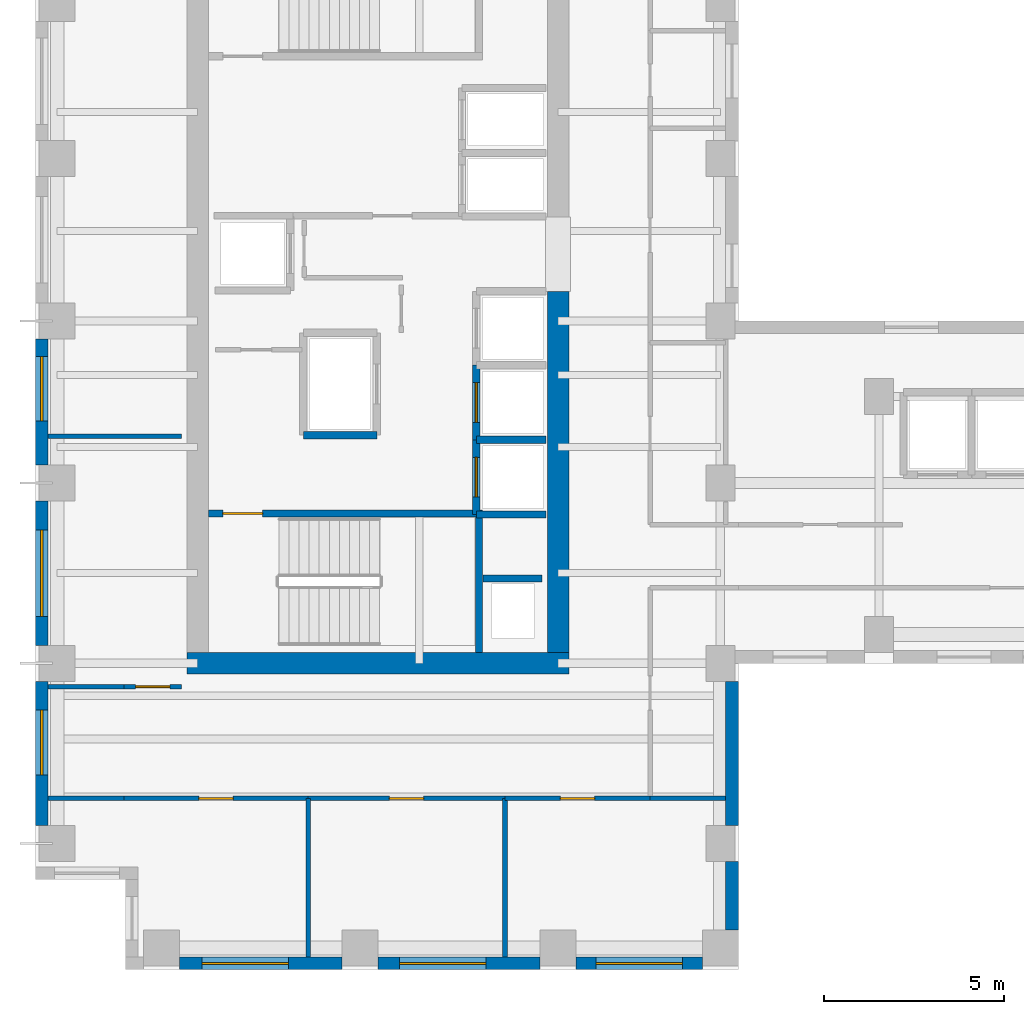
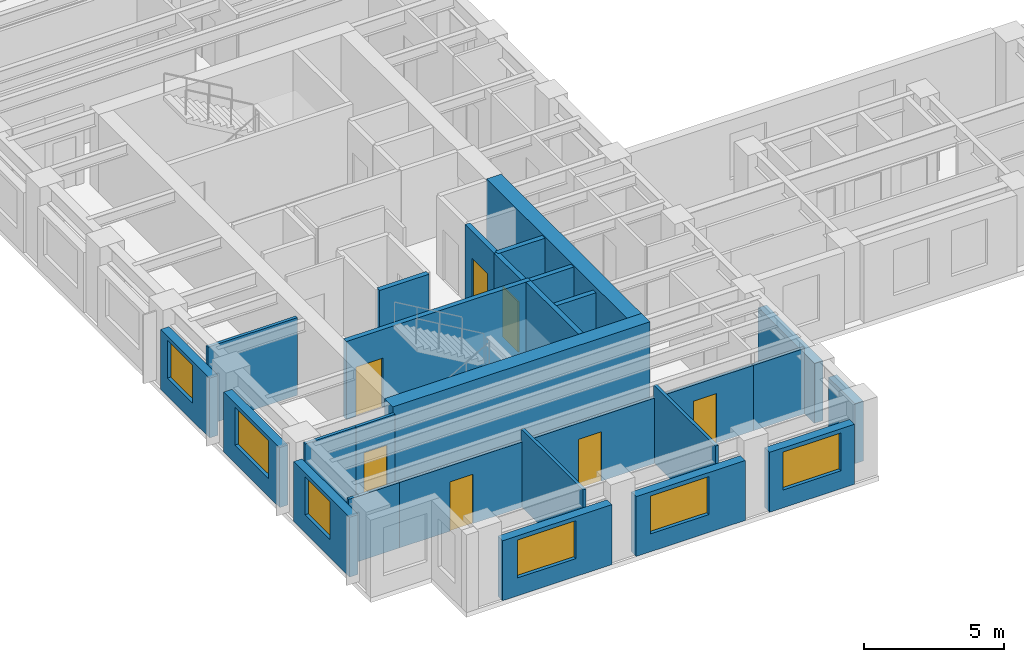
# One storey, part 3 of 12: 28 walls, 7 doors, 6 windows, 13 openings.
"""IFC4 building model written with IfcOpenShell, lengths in metres."""

from ifc_helpers import new_model, si_unit, direction, frame, frame_2d, origin, place, context, subcontext, project, spatial, rectangle, extrude, source, transform, mapped, material, layer, layer_set, type_object, element, fill, save


model = new_model("IFC4")

# Units and contexts
model_context = context("Model", 3, precision=1e-05, world=origin(), true_north=direction((0.0, 1.0)))
body_context = subcontext(model_context, "Body", "Model", "MODEL_VIEW")
ifc_project = project(units=[si_unit("LENGTHUNIT", "METRE"), si_unit("AREAUNIT", "SQUARE_METRE"), si_unit("VOLUMEUNIT", "CUBIC_METRE"), si_unit("PLANEANGLEUNIT", "RADIAN"), si_unit("MASSUNIT", "GRAM", prefix="KILO")], contexts=[model_context])

# Site, building, storey
site_placement = place(None, origin())
site = spatial("IfcSite", under=ifc_project, at=site_placement, CompositionType="ELEMENT")
building_placement = place(site_placement, origin())
building = spatial("IfcBuilding", under=site, at=building_placement, Name="Kharzan Plaza Tower", CompositionType="ELEMENT")
storey_placement = place(building_placement, frame((0.0, 0.0, 164.699951171875)))
storey = spatial("IfcBuildingStorey", under=building, at=storey_placement, Name="L44", CompositionType="ELEMENT", Elevation=164.699951171875)

# Wall, opening, window
ifc_material_1 = material(Name="Concrete C40/50", Category="concrete")
ifc_layer_1 = layer(ifc_material_1, 0.35009765625)
ifc_layer_set_1 = layer_set([ifc_layer_1], Name="Concrete C40/50")
wall_type_1 = type_object("IfcWallType", Name="WL-EXT-MAS-Z3", PredefinedType="SOLIDWALL", material=ifc_layer_set_1)
wall_1_placement = place(storey_placement, frame((0.175048828125, 17.501953125, 0.0), z_axis=(0.0, 0.0, 1.0), x_axis=(0.0, -1.0, 0.0)))
wall_1 = element("IfcWall", 1, at=wall_1_placement, inside=storey, type_object=wall_type_1, Name="L44 Masonry-Frame Exterior Wall 15", PredefinedType="SOLIDWALL", context=body_context, shape_type="SweptSolid", body=[
    extrude(rectangle(XDim=3.50390625, YDim=0.35009765625, at=frame_2d((1.751953125, 0.0))), origin(), (0.0, 0.0, 1.0), 2.612060546875),
])
opening_1_placement = place(wall_1_placement, frame((0.486083984375, 0.0, 0.780029296875)))
opening_1 = element("IfcOpeningElement", 2, at=opening_1_placement, cuts=wall_1, Name="Opening W1", PredefinedType="OPENING", context=body_context, shape_type="SweptSolid", body=[
    extrude(rectangle(XDim=1.800048828125, YDim=1.652099609375, at=frame_2d((0.89990234375, 0.826171875))), frame((0.0, 0.18505859375, 0.0), z_axis=(0.0, -1.0, 0.0), x_axis=(1.0, 0.0, 0.0)), (0.0, 0.0, 1.0), 0.3701171875),
])
ifc_material_2 = material(Name="Low-E Double Glazing", Category="glass")
window_type_1 = type_object("IfcWindowType", Name="WN-REC-1800x2100", PartitioningType="SINGLE_PANEL", PredefinedType="WINDOW", material=ifc_material_2)
shared_shape_1 = source(origin(), body_context, "Body", "SweptSolid", [
    extrude(rectangle(XDim=1.800048828125, YDim=1.652099609375, at=frame_2d((0.89990234375, 0.826171875))), frame((0.0, 0.030029296875, 0.0), z_axis=(0.0, -1.0, 0.0), x_axis=(1.0, 0.0, 0.0)), (0.0, 0.0, 1.0), 0.06005859375),
])
window_1_placement = place(opening_1_placement, origin())
window_1 = element("IfcWindow", 3, at=window_1_placement, inside=storey, type_object=window_type_1, Name="L44 Recessed Solar-Control Window 15-1", OverallHeight=1.652099609375, OverallWidth=1.800048828125, PartitioningType="SINGLE_PANEL", PredefinedType="WINDOW", context=body_context, shape_type="MappedRepresentation", body=[
    mapped(shared_shape_1, transform((0.0, 0.0, 0.0), x_axis=(1.0, 0.0, 0.0), y_axis=(0.0, 1.0, 0.0), z_axis=(0.0, 0.0, 1.0))),
])
fill(opening_1, window_1)

wall_2_placement = place(storey_placement, frame((0.175048828125, 13.001953125, 0.0), z_axis=(0.0, 0.0, 1.0), x_axis=(0.0, -1.0, 0.0)))
wall_2 = element("IfcWall", 4, at=wall_2_placement, inside=storey, type_object=wall_type_1, Name="L44 Masonry-Frame Exterior Wall 16", PredefinedType="SOLIDWALL", context=body_context, shape_type="SweptSolid", body=[
    extrude(rectangle(XDim=4.00390625, YDim=0.35009765625, at=frame_2d((2.001953125, 0.0))), origin(), (0.0, 0.0, 1.0), 2.612060546875),
])
opening_2_placement = place(wall_2_placement, frame((0.802001953125, 0.0, 0.780029296875)))
opening_2 = element("IfcOpeningElement", 5, at=opening_2_placement, cuts=wall_2, Name="Opening W2", PredefinedType="OPENING", context=body_context, shape_type="SweptSolid", body=[
    extrude(rectangle(XDim=2.39990234375, YDim=1.652099609375, at=frame_2d((1.199951171875, 0.826171875))), frame((0.0, 0.18505859375, 0.0), z_axis=(0.0, -1.0, 0.0), x_axis=(1.0, 0.0, 0.0)), (0.0, 0.0, 1.0), 0.3701171875),
])
window_type_2 = type_object("IfcWindowType", Name="WN-REC-2400x2100", PartitioningType="SINGLE_PANEL", PredefinedType="WINDOW", material=ifc_material_2)
shared_shape_2 = source(origin(), body_context, "Body", "SweptSolid", [
    extrude(rectangle(XDim=2.39990234375, YDim=1.652099609375, at=frame_2d((1.199951171875, 0.826171875))), frame((0.0, 0.030029296875, 0.0), z_axis=(0.0, -1.0, 0.0), x_axis=(1.0, 0.0, 0.0)), (0.0, 0.0, 1.0), 0.06005859375),
])
window_2_placement = place(opening_2_placement, origin())
window_2 = element("IfcWindow", 6, at=window_2_placement, inside=storey, type_object=window_type_2, Name="L44 Wide Recessed Solar-Control Window 16-1", OverallHeight=1.652099609375, OverallWidth=2.39990234375, PartitioningType="SINGLE_PANEL", PredefinedType="WINDOW", context=body_context, shape_type="MappedRepresentation", body=[
    mapped(shared_shape_2, transform((0.0, 0.0, 0.0), x_axis=(1.0, 0.0, 0.0), y_axis=(0.0, 1.0, 0.0), z_axis=(0.0, 0.0, 1.0))),
])
fill(opening_2, window_2)

wall_3_placement = place(storey_placement, frame((0.175048828125, 8.001953125, 0.0), z_axis=(0.0, 0.0, 1.0), x_axis=(0.0, -1.0, 0.0)))
wall_3 = element("IfcWall", 7, at=wall_3_placement, inside=storey, type_object=wall_type_1, Name="L44 Masonry-Frame Exterior Wall 17", PredefinedType="SOLIDWALL", context=body_context, shape_type="SweptSolid", body=[
    extrude(rectangle(XDim=4.00390625, YDim=0.35009765625, at=frame_2d((2.001953125, 0.0))), origin(), (0.0, 0.0, 1.0), 2.612060546875),
])
opening_3_placement = place(wall_3_placement, frame((0.802001953125, 0.0, 0.780029296875)))
opening_3 = element("IfcOpeningElement", 8, at=opening_3_placement, cuts=wall_3, Name="Opening W1", PredefinedType="OPENING", context=body_context, shape_type="SweptSolid", body=[
    extrude(rectangle(XDim=1.800048828125, YDim=1.652099609375, at=frame_2d((0.89990234375, 0.826171875))), frame((0.0, 0.18505859375, 0.0), z_axis=(0.0, -1.0, 0.0), x_axis=(1.0, 0.0, 0.0)), (0.0, 0.0, 1.0), 0.3701171875),
])
window_3_placement = place(opening_3_placement, origin())
window_3 = element("IfcWindow", 9, at=window_3_placement, inside=storey, type_object=window_type_1, Name="L44 Recessed Solar-Control Window 17-1", OverallHeight=1.652099609375, OverallWidth=1.800048828125, PartitioningType="SINGLE_PANEL", PredefinedType="WINDOW", context=body_context, shape_type="MappedRepresentation", body=[
    mapped(shared_shape_1, transform((0.0, 0.0, 0.0), x_axis=(1.0, 0.0, 0.0), y_axis=(0.0, 1.0, 0.0), z_axis=(0.0, 0.0, 1.0))),
])
fill(opening_3, window_3)

wall_4_placement = place(storey_placement, frame((3.998046875, 0.175048828125, 0.0), z_axis=(0.0, 0.0, 1.0), x_axis=(1.0, 0.0, 0.0)))
wall_4 = element("IfcWall", 10, at=wall_4_placement, inside=storey, type_object=wall_type_1, Name="L44 Masonry-Frame Exterior Wall 21", PredefinedType="SOLIDWALL", context=body_context, shape_type="SweptSolid", body=[
    extrude(rectangle(XDim=4.50390625, YDim=0.35009765625, at=frame_2d((2.251953125, 0.0))), origin(), (0.0, 0.0, 1.0), 2.612060546875),
])
opening_4_placement = place(wall_4_placement, frame((0.618408203125, 0.0, 0.780029296875)))
opening_4 = element("IfcOpeningElement", 11, at=opening_4_placement, cuts=wall_4, Name="Opening W2", PredefinedType="OPENING", context=body_context, shape_type="SweptSolid", body=[
    extrude(rectangle(XDim=2.39990234375, YDim=1.652099609375, at=frame_2d((1.199951171875, 0.826171875))), frame((0.0, 0.18505859375, 0.0), z_axis=(0.0, -1.0, 0.0), x_axis=(1.0, 0.0, 0.0)), (0.0, 0.0, 1.0), 0.3701171875),
])
window_4_placement = place(opening_4_placement, origin())
window_4 = element("IfcWindow", 12, at=window_4_placement, inside=storey, type_object=window_type_2, Name="L44 Wide Recessed Solar-Control Window 21-1", OverallHeight=1.652099609375, OverallWidth=2.39990234375, PartitioningType="SINGLE_PANEL", PredefinedType="WINDOW", context=body_context, shape_type="MappedRepresentation", body=[
    mapped(shared_shape_2, transform((0.0, 0.0, 0.0), x_axis=(1.0, 0.0, 0.0), y_axis=(0.0, 1.0, 0.0), z_axis=(0.0, 0.0, 1.0))),
])
fill(opening_4, window_4)

wall_5_placement = place(storey_placement, frame((9.498046875, 0.175048828125, 0.0), z_axis=(0.0, 0.0, 1.0), x_axis=(1.0, 0.0, 0.0)))
wall_5 = element("IfcWall", 13, at=wall_5_placement, inside=storey, type_object=wall_type_1, Name="L44 Masonry-Frame Exterior Wall 22", PredefinedType="SOLIDWALL", context=body_context, shape_type="SweptSolid", body=[
    extrude(rectangle(XDim=4.50390625, YDim=0.35009765625, at=frame_2d((2.251953125, 0.0))), origin(), (0.0, 0.0, 1.0), 2.612060546875),
])
opening_5_placement = place(wall_5_placement, frame((0.59912109375, 0.0, 0.780029296875)))
opening_5 = element("IfcOpeningElement", 14, at=opening_5_placement, cuts=wall_5, Name="Opening W2", PredefinedType="OPENING", context=body_context, shape_type="SweptSolid", body=[
    extrude(rectangle(XDim=2.39990234375, YDim=1.652099609375, at=frame_2d((1.199951171875, 0.826171875))), frame((0.0, 0.18505859375, 0.0), z_axis=(0.0, -1.0, 0.0), x_axis=(1.0, 0.0, 0.0)), (0.0, 0.0, 1.0), 0.3701171875),
])
window_5_placement = place(opening_5_placement, origin())
window_5 = element("IfcWindow", 15, at=window_5_placement, inside=storey, type_object=window_type_2, Name="L44 Wide Recessed Solar-Control Window 22-1", OverallHeight=1.652099609375, OverallWidth=2.39990234375, PartitioningType="SINGLE_PANEL", PredefinedType="WINDOW", context=body_context, shape_type="MappedRepresentation", body=[
    mapped(shared_shape_2, transform((0.0, 0.0, 0.0), x_axis=(1.0, 0.0, 0.0), y_axis=(0.0, 1.0, 0.0), z_axis=(0.0, 0.0, 1.0))),
])
fill(opening_5, window_5)

wall_6_placement = place(storey_placement, frame((14.998046875, 0.175048828125, 0.0), z_axis=(0.0, 0.0, 1.0), x_axis=(1.0, 0.0, 0.0)))
wall_6 = element("IfcWall", 16, at=wall_6_placement, inside=storey, type_object=wall_type_1, Name="L44 Masonry-Frame Exterior Wall 23", PredefinedType="SOLIDWALL", context=body_context, shape_type="SweptSolid", body=[
    extrude(rectangle(XDim=3.50390625, YDim=0.35009765625, at=frame_2d((1.751953125, 0.0))), origin(), (0.0, 0.0, 1.0), 2.612060546875),
])
opening_6_placement = place(wall_6_placement, frame((0.552001953125, 0.0, 0.780029296875)))
opening_6 = element("IfcOpeningElement", 17, at=opening_6_placement, cuts=wall_6, Name="Opening W2", PredefinedType="OPENING", context=body_context, shape_type="SweptSolid", body=[
    extrude(rectangle(XDim=2.39990234375, YDim=1.652099609375, at=frame_2d((1.199951171875, 0.826171875))), frame((0.0, 0.18505859375, 0.0), z_axis=(0.0, -1.0, 0.0), x_axis=(1.0, 0.0, 0.0)), (0.0, 0.0, 1.0), 0.3701171875),
])
window_6_placement = place(opening_6_placement, origin())
window_6 = element("IfcWindow", 18, at=window_6_placement, inside=storey, type_object=window_type_2, Name="L44 Wide Recessed Solar-Control Window 23-1", OverallHeight=1.652099609375, OverallWidth=2.39990234375, PartitioningType="SINGLE_PANEL", PredefinedType="WINDOW", context=body_context, shape_type="MappedRepresentation", body=[
    mapped(shared_shape_2, transform((0.0, 0.0, 0.0), x_axis=(1.0, 0.0, 0.0), y_axis=(0.0, 1.0, 0.0), z_axis=(0.0, 0.0, 1.0))),
])
fill(opening_6, window_6)

# Wall, opening, door
ifc_material_3 = material(Name="Fire-Rated Gypsum Board Partition", Category="gypsum")
ifc_layer_2 = layer(ifc_material_3, 0.125)
ifc_layer_set_2 = layer_set([ifc_layer_2], Name="Fire-Rated Gypsum Board Partition")
wall_type_2 = type_object("IfcWallType", Name="WL-INT-PART-125", PredefinedType="PARTITIONING", material=ifc_layer_set_2)
wall_7_placement = place(storey_placement, frame((2.449951171875, 7.85009765625, 0.0), z_axis=(0.0, 0.0, 1.0), x_axis=(1.0, 0.0, 0.0)))
wall_7 = element("IfcWall", 19, at=wall_7_placement, inside=storey, type_object=wall_type_2, Name="L44 Interior Partition SH-RWSD", PredefinedType="PARTITIONING", context=body_context, shape_type="SweptSolid", body=[
    extrude(rectangle(XDim=1.60009765625, YDim=0.125, at=frame_2d((0.800048828125, 0.0))), origin(), (0.0, 0.0, 1.0), 3.385009765625),
])
opening_7_placement = place(wall_7_placement, frame((0.324951171875, 0.0, 0.0)))
opening_7 = element("IfcOpeningElement", 20, at=opening_7_placement, cuts=wall_7, Name="Opening OD1", PredefinedType="OPENING", context=body_context, shape_type="SweptSolid", body=[
    extrude(rectangle(XDim=0.949951171875, YDim=2.14990234375, at=frame_2d((0.47509765625, 1.074951171875))), frame((0.0, 0.072509765625, 0.0), z_axis=(0.0, -1.0, 0.0), x_axis=(1.0, 0.0, 0.0)), (0.0, 0.0, 1.0), 0.14501953125),
])
ifc_material_4 = material(Name="Acoustic Solid-Core Stained Oak", Category="timber")
door_type_1 = type_object("IfcDoorType", Name="DR-OFF-SINGLE", OperationType="NOTDEFINED", PredefinedType="DOOR", material=ifc_material_4)
shared_shape_3 = source(origin(), body_context, "Body", "SweptSolid", [
    extrude(rectangle(XDim=0.949951171875, YDim=2.14990234375, at=frame_2d((0.47509765625, 1.074951171875))), frame((0.0, 0.02490234375, 0.0), z_axis=(0.0, -1.0, 0.0), x_axis=(1.0, 0.0, 0.0)), (0.0, 0.0, 1.0), 0.050048828125),
])
door_1_placement = place(opening_7_placement, origin())
door_1 = element("IfcDoor", 21, at=door_1_placement, inside=storey, type_object=door_type_1, Name="L44 West Office 1 Door", OperationType="SINGLE_SWING_RIGHT", OverallHeight=2.14990234375, OverallWidth=0.949951171875, PredefinedType="DOOR", context=body_context, shape_type="MappedRepresentation", body=[
    mapped(shared_shape_3, transform((0.0, 0.0, 0.0), x_axis=(1.0, 0.0, 0.0), y_axis=(0.0, 1.0, 0.0), z_axis=(0.0, 0.0, 1.0))),
])
fill(opening_7, door_1)

wall_8_placement = place(storey_placement, frame((2.449951171875, 4.75, 0.0), z_axis=(0.0, 0.0, 1.0), x_axis=(1.0, 0.0, 0.0)))
wall_8 = element("IfcWall", 22, at=wall_8_placement, inside=storey, type_object=wall_type_2, Name="L44 Interior Partition SH-SS-1", PredefinedType="PARTITIONING", context=body_context, shape_type="SweptSolid", body=[
    extrude(rectangle(XDim=5.114990234375, YDim=0.125, at=frame_2d((2.5576171875, 0.0))), origin(), (0.0, 0.0, 1.0), 2.84814453125),
])
opening_8_placement = place(wall_8_placement, frame((2.08251953125, 0.0, 0.0)))
opening_8 = element("IfcOpeningElement", 23, at=opening_8_placement, cuts=wall_8, Name="Opening OD1", PredefinedType="OPENING", context=body_context, shape_type="SweptSolid", body=[
    extrude(rectangle(XDim=0.949951171875, YDim=2.14990234375, at=frame_2d((0.47509765625, 1.074951171875))), frame((0.0, 0.072509765625, 0.0), z_axis=(0.0, -1.0, 0.0), x_axis=(1.0, 0.0, 0.0)), (0.0, 0.0, 1.0), 0.14501953125),
])
door_2_placement = place(opening_8_placement, origin())
door_2 = element("IfcDoor", 24, at=door_2_placement, inside=storey, type_object=door_type_1, Name="L44 Joint-Venture Negotiation Room Door", OperationType="SINGLE_SWING_RIGHT", OverallHeight=2.14990234375, OverallWidth=0.949951171875, PredefinedType="DOOR", context=body_context, shape_type="MappedRepresentation", body=[
    mapped(shared_shape_3, transform((0.0, 0.0, 0.0), x_axis=(1.0, 0.0, 0.0), y_axis=(0.0, 1.0, 0.0), z_axis=(0.0, 0.0, 1.0))),
])
fill(opening_8, door_2)

wall_9_placement = place(storey_placement, frame((7.56494140625, 4.75, 0.0), z_axis=(0.0, 0.0, 1.0), x_axis=(1.0, 0.0, 0.0)))
wall_9 = element("IfcWall", 25, at=wall_9_placement, inside=storey, type_object=wall_type_2, Name="L44 Interior Partition SH-SS-2", PredefinedType="PARTITIONING", context=body_context, shape_type="SweptSolid", body=[
    extrude(rectangle(XDim=5.4609375, YDim=0.125, at=frame_2d((2.73046875, 0.0))), origin(), (0.0, 0.0, 1.0), 2.84814453125),
])
opening_9_placement = place(wall_9_placement, frame((2.255615234375, 0.0, 0.0)))
opening_9 = element("IfcOpeningElement", 26, at=opening_9_placement, cuts=wall_9, Name="Opening OD1", PredefinedType="OPENING", context=body_context, shape_type="SweptSolid", body=[
    extrude(rectangle(XDim=0.949951171875, YDim=2.14990234375, at=frame_2d((0.47509765625, 1.074951171875))), frame((0.0, 0.072509765625, 0.0), z_axis=(0.0, -1.0, 0.0), x_axis=(1.0, 0.0, 0.0)), (0.0, 0.0, 1.0), 0.14501953125),
])
door_3_placement = place(opening_9_placement, origin())
door_3 = element("IfcDoor", 27, at=door_3_placement, inside=storey, type_object=door_type_1, Name="L44 Fleet Analytics Office Door", OperationType="SINGLE_SWING_LEFT", OverallHeight=2.14990234375, OverallWidth=0.949951171875, PredefinedType="DOOR", context=body_context, shape_type="MappedRepresentation", body=[
    mapped(shared_shape_3, transform((0.0, 0.0, 0.0), x_axis=(1.0, 0.0, 0.0), y_axis=(0.0, 1.0, 0.0), z_axis=(0.0, 0.0, 1.0))),
])
fill(opening_9, door_3)

wall_10_placement = place(storey_placement, frame((13.02587890625, 4.75, 0.0), z_axis=(0.0, 0.0, 1.0), x_axis=(1.0, 0.0, 0.0)))
wall_10 = element("IfcWall", 28, at=wall_10_placement, inside=storey, type_object=wall_type_2, Name="L44 Interior Partition SH-SS-3", PredefinedType="PARTITIONING", context=body_context, shape_type="SweptSolid", body=[
    extrude(rectangle(XDim=4.024169921875, YDim=0.125, at=frame_2d((2.01220703125, 0.0))), origin(), (0.0, 0.0, 1.0), 2.84814453125),
])
opening_10_placement = place(wall_10_placement, frame((1.537109375, 0.0, 0.0)))
opening_10 = element("IfcOpeningElement", 29, at=opening_10_placement, cuts=wall_10, Name="Opening OD1", PredefinedType="OPENING", context=body_context, shape_type="SweptSolid", body=[
    extrude(rectangle(XDim=0.949951171875, YDim=2.14990234375, at=frame_2d((0.47509765625, 1.074951171875))), frame((0.0, 0.072509765625, 0.0), z_axis=(0.0, -1.0, 0.0), x_axis=(1.0, 0.0, 0.0)), (0.0, 0.0, 1.0), 0.14501953125),
])
door_4_placement = place(opening_10_placement, origin())
door_4 = element("IfcDoor", 30, at=door_4_placement, inside=storey, type_object=door_type_1, Name="L44 Port Logistics Office Door", OperationType="SINGLE_SWING_RIGHT", OverallHeight=2.14990234375, OverallWidth=0.949951171875, PredefinedType="DOOR", context=body_context, shape_type="MappedRepresentation", body=[
    mapped(shared_shape_3, transform((0.0, 0.0, 0.0), x_axis=(1.0, 0.0, 0.0), y_axis=(0.0, 1.0, 0.0), z_axis=(0.0, 0.0, 1.0))),
])
fill(opening_10, door_4)

ifc_layer_3 = layer(ifc_material_1, 0.199951171875)
ifc_layer_set_3 = layer_set([ifc_layer_3], Name="Concrete C40/50")
wall_type_3 = type_object("IfcWallType", Name="WL-INT-SHAFT-200", PredefinedType="PARTITIONING", material=ifc_layer_set_3)
wall_11_placement = place(storey_placement, frame((12.22998046875, 12.6298828125, 0.0), z_axis=(0.0, 0.0, 1.0), x_axis=(0.0, 1.0, 0.0)))
wall_11 = element("IfcWall", 31, at=wall_11_placement, inside=storey, type_object=wall_type_3, Name="L44 Interior Partition SHF-PL-H1-W", PredefinedType="PARTITIONING", context=body_context, shape_type="SweptSolid", body=[
    extrude(rectangle(XDim=2.070068359375, YDim=0.199951171875, at=frame_2d((1.03515625, 0.0))), origin(), (0.0, 0.0, 1.0), 3.385009765625),
])
opening_11_placement = place(wall_11_placement, frame((0.485107421875, 0.0, 0.0)))
opening_11 = element("IfcOpeningElement", 32, at=opening_11_placement, cuts=wall_11, Name="Opening LD", PredefinedType="OPENING", context=body_context, shape_type="SweptSolid", body=[
    extrude(rectangle(XDim=1.10009765625, YDim=2.199951171875, at=frame_2d((0.550048828125, 1.10009765625))), frame((0.0, 0.10986328125, 0.0), z_axis=(0.0, -1.0, 0.0), x_axis=(1.0, 0.0, 0.0)), (0.0, 0.0, 1.0), 0.219970703125),
])
ifc_material_5 = material(Name="Brushed Stainless Steel", Category="steel")
door_type_2 = type_object("IfcDoorType", Name="DR-LIFT-SLIDE", OperationType="SLIDING_TO_LEFT", PredefinedType="DOOR", material=ifc_material_5)
shared_shape_4 = source(origin(), body_context, "Body", "SweptSolid", [
    extrude(rectangle(XDim=1.10009765625, YDim=2.199951171875, at=frame_2d((0.550048828125, 1.10009765625))), frame((0.0, 0.02490234375, 0.0), z_axis=(0.0, -1.0, 0.0), x_axis=(1.0, 0.0, 0.0)), (0.0, 0.0, 1.0), 0.050048828125),
])
door_5_placement = place(opening_11_placement, origin())
door_5 = element("IfcDoor", 33, at=door_5_placement, inside=storey, type_object=door_type_2, Name="L44 High-Rise Passenger Lift PL-H1 Sliding Landing Door", OperationType="SLIDING_TO_LEFT", OverallHeight=2.199951171875, OverallWidth=1.10009765625, PredefinedType="DOOR", context=body_context, shape_type="MappedRepresentation", body=[
    mapped(shared_shape_4, transform((0.0, 0.0, 0.0), x_axis=(1.0, 0.0, 0.0), y_axis=(0.0, 1.0, 0.0), z_axis=(0.0, 0.0, 1.0))),
])
fill(opening_11, door_5)

wall_12_placement = place(storey_placement, frame((12.22998046875, 14.699951171875, 0.0), z_axis=(0.0, 0.0, 1.0), x_axis=(0.0, 1.0, 0.0)))
wall_12 = element("IfcWall", 34, at=wall_12_placement, inside=storey, type_object=wall_type_3, Name="L44 Interior Partition SHF-PL-H2-W", PredefinedType="PARTITIONING", context=body_context, shape_type="SweptSolid", body=[
    extrude(rectangle(XDim=2.070068359375, YDim=0.199951171875, at=frame_2d((1.03515625, 0.0))), origin(), (0.0, 0.0, 1.0), 3.385009765625),
])
opening_12_placement = place(wall_12_placement, frame((0.485107421875, 0.0, 0.0)))
opening_12 = element("IfcOpeningElement", 35, at=opening_12_placement, cuts=wall_12, Name="Opening LD", PredefinedType="OPENING", context=body_context, shape_type="SweptSolid", body=[
    extrude(rectangle(XDim=1.10009765625, YDim=2.199951171875, at=frame_2d((0.550048828125, 1.10009765625))), frame((0.0, 0.10986328125, 0.0), z_axis=(0.0, -1.0, 0.0), x_axis=(1.0, 0.0, 0.0)), (0.0, 0.0, 1.0), 0.219970703125),
])
door_6_placement = place(opening_12_placement, origin())
door_6 = element("IfcDoor", 36, at=door_6_placement, inside=storey, type_object=door_type_2, Name="L44 High-Rise Passenger Lift PL-H2 Sliding Landing Door", OperationType="SLIDING_TO_LEFT", OverallHeight=2.199951171875, OverallWidth=1.10009765625, PredefinedType="DOOR", context=body_context, shape_type="MappedRepresentation", body=[
    mapped(shared_shape_4, transform((0.0, 0.0, 0.0), x_axis=(1.0, 0.0, 0.0), y_axis=(0.0, 1.0, 0.0), z_axis=(0.0, 0.0, 1.0))),
])
fill(opening_12, door_6)

ifc_material_6 = material(Name="Concrete C50/60", Category="concrete")
ifc_layer_4 = layer(ifc_material_6, 0.199951171875)
ifc_layer_set_4 = layer_set([ifc_layer_4], Name="Concrete C50/60")
wall_type_4 = type_object("IfcWallType", Name="WL-SHAFT-RC200", PredefinedType="SHEAR", material=ifc_layer_set_4)
wall_13_placement = place(storey_placement, frame((4.802001953125, 12.655029296875, 0.0), z_axis=(0.0, 0.0, 1.0), x_axis=(1.0, 0.0, 0.0)))
wall_13 = element("IfcWall", 37, at=wall_13_placement, inside=storey, type_object=wall_type_4, Name="L44 Stair ST-1 North RC Shaft Wall", PredefinedType="SHEAR", context=body_context, shape_type="SweptSolid", body=[
    extrude(rectangle(XDim=7.60302734375, YDim=0.199951171875, at=frame_2d((3.801513671875, 0.0))), origin(), (0.0, 0.0, 1.0), 3.400146484375),
])
opening_13_placement = place(wall_13_placement, frame((0.39990234375, 0.0, 0.0)))
opening_13 = element("IfcOpeningElement", 38, at=opening_13_placement, cuts=wall_13, Name="Opening SD1", PredefinedType="OPENING", context=body_context, shape_type="SweptSolid", body=[
    extrude(rectangle(XDim=1.10009765625, YDim=2.14990234375, at=frame_2d((0.550048828125, 1.074951171875))), frame((0.0, 0.10986328125, 0.0), z_axis=(0.0, -1.0, 0.0), x_axis=(1.0, 0.0, 0.0)), (0.0, 0.0, 1.0), 0.219970703125),
])
ifc_material_7 = material(Name="Fire-Rated Hollow Galvanized Steel", Category="steel")
door_type_3 = type_object("IfcDoorType", Name="DR-STAIR-FD120", OperationType="NOTDEFINED", PredefinedType="DOOR", material=ifc_material_7)
shared_shape_5 = source(origin(), body_context, "Body", "SweptSolid", [
    extrude(rectangle(XDim=1.10009765625, YDim=2.14990234375, at=frame_2d((0.550048828125, 1.074951171875))), frame((0.0, 0.02490234375, 0.0), z_axis=(0.0, -1.0, 0.0), x_axis=(1.0, 0.0, 0.0)), (0.0, 0.0, 1.0), 0.050048828125),
])
door_7_placement = place(opening_13_placement, origin())
door_7 = element("IfcDoor", 39, at=door_7_placement, inside=storey, type_object=door_type_3, Name="L44 Stair ST-1 Fire Exit Door", OperationType="SINGLE_SWING_LEFT", OverallHeight=2.14990234375, OverallWidth=1.10009765625, PredefinedType="DOOR", context=body_context, shape_type="MappedRepresentation", body=[
    mapped(shared_shape_5, transform((0.0, 0.0, 0.0), x_axis=(1.0, 0.0, 0.0), y_axis=(0.0, 1.0, 0.0), z_axis=(0.0, 0.0, 1.0))),
])
fill(opening_13, door_7)

# Walls
shared_shape_6 = source(origin(), body_context, "Body", "SweptSolid", [
    extrude(rectangle(XDim=2.097900390625, YDim=0.125, at=frame_2d((1.048828125, 0.0))), origin(), (0.0, 0.0, 1.0), 3.385009765625),
])
wall_14_placement = place(storey_placement, frame((0.35205078125, 7.85009765625, 0.0), z_axis=(0.0, 0.0, 1.0), x_axis=(1.0, 0.0, 0.0)))
element("IfcWall", 40, at=wall_14_placement, inside=storey, type_object=wall_type_2, Name="L44 Interior Partition SH-RWS0", PredefinedType="PARTITIONING", context=body_context, shape_type="MappedRepresentation", body=[
    mapped(shared_shape_6, transform((0.0, 0.0, 0.0), x_axis=(1.0, 0.0, 0.0), y_axis=(0.0, 1.0, 0.0), z_axis=(0.0, 0.0, 1.0))),
])
shared_shape_7 = source(origin(), body_context, "Body", "SweptSolid", [
    extrude(rectangle(XDim=1.630126953125, YDim=0.199951171875, at=frame_2d((0.81494140625, 0.0))), origin(), (0.0, 0.0, 1.0), 3.385009765625),
])
wall_15_placement = place(storey_placement, frame((12.419921875, 10.85009765625, 0.0), z_axis=(0.0, 0.0, 1.0), x_axis=(1.0, 0.0, 0.0)))
element("IfcWall", 41, at=wall_15_placement, inside=storey, type_object=wall_type_3, Name="L44 Interior Partition CA-RSRA-N", PredefinedType="PARTITIONING", context=body_context, shape_type="MappedRepresentation", body=[
    mapped(shared_shape_7, transform((0.0, 0.0, 0.0), x_axis=(1.0, 0.0, 0.0), y_axis=(0.0, 1.0, 0.0), z_axis=(0.0, 0.0, 1.0))),
])
shared_shape_8 = source(origin(), body_context, "Body", "SweptSolid", [
    extrude(rectangle(XDim=1.93994140625, YDim=0.199951171875, at=frame_2d((0.969970703125, 0.0))), origin(), (0.0, 0.0, 1.0), 3.385009765625),
])
for number, where, z_axis, x_axis, name in (
    (42, (12.22998046875, 14.699951171875, 0.0), (0.0, 0.0, 1.0), (1.0, 0.0, 0.0), "L44 Interior Partition SHF-PL-H1-N"),
    (43, (12.22998046875, 12.6298828125, 0.0), (0.0, 0.0, 1.0), (1.0, 0.0, 0.0), "L44 Interior Partition SHF-PL-H1-S"),
):
    element("IfcWall", number, at=place(storey_placement, frame(where, z_axis=z_axis, x_axis=x_axis)), inside=storey, type_object=wall_type_3, Name=name, PredefinedType="PARTITIONING", context=body_context, shape_type="MappedRepresentation", body=[
        mapped(shared_shape_8, transform((0.0, 0.0, 0.0), x_axis=(1.0, 0.0, 0.0), y_axis=(0.0, 1.0, 0.0), z_axis=(0.0, 0.0, 1.0))),
    ])
shared_shape_9 = source(origin(), body_context, "Body", "SweptSolid", [
    extrude(rectangle(XDim=2.0400390625, YDim=0.199951171875, at=frame_2d((1.02001953125, 0.0))), origin(), (0.0, 0.0, 1.0), 3.385009765625),
])
wall_16_placement = place(storey_placement, frame((7.429931640625, 14.830078125, 0.0), z_axis=(0.0, 0.0, 1.0), x_axis=(1.0, 0.0, 0.0)))
element("IfcWall", 44, at=wall_16_placement, inside=storey, type_object=wall_type_3, Name="L44 Interior Partition SHF-SVL-1-S", PredefinedType="PARTITIONING", context=body_context, shape_type="MappedRepresentation", body=[
    mapped(shared_shape_9, transform((0.0, 0.0, 0.0), x_axis=(1.0, 0.0, 0.0), y_axis=(0.0, 1.0, 0.0), z_axis=(0.0, 0.0, 1.0))),
])
ifc_layer_5 = layer(ifc_material_6, 0.60009765625)
ifc_layer_set_5 = layer_set([ifc_layer_5], Name="Concrete C50/60")
wall_type_5 = type_object("IfcWallType", Name="WL-CORE-600", PredefinedType="SHEAR", material=ifc_layer_set_5)
shared_shape_10 = source(origin(), body_context, "Body", "SweptSolid", [
    extrude(rectangle(XDim=10.02001953125, YDim=0.60009765625, at=frame_2d((5.010009765625, 0.0))), origin(), (0.0, 0.0, 1.0), 3.400146484375),
])
wall_17_placement = place(storey_placement, frame((14.5, 8.800048828125, 0.0), z_axis=(0.0, 0.0, 1.0), x_axis=(0.0, 1.0, 0.0)))
element("IfcWall", 45, at=wall_17_placement, inside=storey, type_object=wall_type_5, Name="L44 CORE-A east shear pier 1", PredefinedType="SHEAR", context=body_context, shape_type="MappedRepresentation", body=[
    mapped(shared_shape_10, transform((0.0, 0.0, 0.0), x_axis=(1.0, 0.0, 0.0), y_axis=(0.0, 1.0, 0.0), z_axis=(0.0, 0.0, 1.0))),
])
shared_shape_11 = source(origin(), body_context, "Body", "SweptSolid", [
    extrude(rectangle(XDim=10.60009765625, YDim=0.60009765625, at=frame_2d((5.300048828125, 0.0))), origin(), (0.0, 0.0, 1.0), 3.400146484375),
])
wall_18_placement = place(storey_placement, frame((4.199951171875, 8.5, 0.0), z_axis=(0.0, 0.0, 1.0), x_axis=(1.0, 0.0, 0.0)))
element("IfcWall", 46, at=wall_18_placement, inside=storey, type_object=wall_type_5, Name="L44 CORE-A south RC shear wall", PredefinedType="SHEAR", context=body_context, shape_type="MappedRepresentation", body=[
    mapped(shared_shape_11, transform((0.0, 0.0, 0.0), x_axis=(1.0, 0.0, 0.0), y_axis=(0.0, 1.0, 0.0), z_axis=(0.0, 0.0, 1.0))),
])
shared_shape_12 = source(origin(), body_context, "Body", "SweptSolid", [
    extrude(rectangle(XDim=1.904052734375, YDim=0.35009765625, at=frame_2d((0.9521484375, 0.0))), origin(), (0.0, 0.0, 1.0), 2.612060546875),
])
wall_19_placement = place(storey_placement, frame((19.324951171875, 1.097900390625, 0.0), z_axis=(0.0, 0.0, 1.0), x_axis=(0.0, 1.0, 0.0)))
element("IfcWall", 47, at=wall_19_placement, inside=storey, type_object=wall_type_1, Name="L44 Masonry-Frame Exterior Wall 24", PredefinedType="SOLIDWALL", context=body_context, shape_type="MappedRepresentation", body=[
    mapped(shared_shape_12, transform((0.0, 0.0, 0.0), x_axis=(1.0, 0.0, 0.0), y_axis=(0.0, 1.0, 0.0), z_axis=(0.0, 0.0, 1.0))),
])
shared_shape_13 = source(origin(), body_context, "Body", "SweptSolid", [
    extrude(rectangle(XDim=3.7529296875, YDim=0.199951171875, at=frame_2d((1.87646484375, 0.0))), origin(), (0.0, 0.0, 1.0), 3.400146484375),
])
wall_20_placement = place(storey_placement, frame((12.304931640625, 8.802001953125, 0.0), z_axis=(0.0, 0.0, 1.0), x_axis=(0.0, 1.0, 0.0)))
element("IfcWall", 48, at=wall_20_placement, inside=storey, type_object=wall_type_4, Name="L44 Stair ST-1 East RC Shaft Wall", PredefinedType="SHEAR", context=body_context, shape_type="MappedRepresentation", body=[
    mapped(shared_shape_13, transform((0.0, 0.0, 0.0), x_axis=(1.0, 0.0, 0.0), y_axis=(0.0, 1.0, 0.0), z_axis=(0.0, 0.0, 1.0))),
])
shared_shape_14 = source(origin(), body_context, "Body", "SweptSolid", [
    extrude(rectangle(XDim=3.697998046875, YDim=0.125, at=frame_2d((1.84912109375, 0.0))), origin(), (0.0, 0.0, 1.0), 3.385009765625),
])
wall_21_placement = place(storey_placement, frame((0.35205078125, 14.800048828125, 0.0), z_axis=(0.0, 0.0, 1.0), x_axis=(1.0, 0.0, 0.0)))
element("IfcWall", 49, at=wall_21_placement, inside=storey, type_object=wall_type_2, Name="L44 Interior Partition SH-WMID", PredefinedType="PARTITIONING", context=body_context, shape_type="MappedRepresentation", body=[
    mapped(shared_shape_14, transform((0.0, 0.0, 0.0), x_axis=(1.0, 0.0, 0.0), y_axis=(0.0, 1.0, 0.0), z_axis=(0.0, 0.0, 1.0))),
])
shared_shape_15 = source(origin(), body_context, "Body", "SweptSolid", [
    extrude(rectangle(XDim=4.00390625, YDim=0.35009765625, at=frame_2d((2.001953125, 0.0))), origin(), (0.0, 0.0, 1.0), 2.612060546875),
])
wall_22_placement = place(storey_placement, frame((19.324951171875, 3.998046875, 0.0), z_axis=(0.0, 0.0, 1.0), x_axis=(0.0, 1.0, 0.0)))
element("IfcWall", 50, at=wall_22_placement, inside=storey, type_object=wall_type_1, Name="L44 Masonry-Frame Exterior Wall 25", PredefinedType="SOLIDWALL", context=body_context, shape_type="MappedRepresentation", body=[
    mapped(shared_shape_15, transform((0.0, 0.0, 0.0), x_axis=(1.0, 0.0, 0.0), y_axis=(0.0, 1.0, 0.0), z_axis=(0.0, 0.0, 1.0))),
])
shared_shape_16 = source(origin(), body_context, "Body", "SweptSolid", [
    extrude(rectangle(XDim=2.097900390625, YDim=0.125, at=frame_2d((1.048828125, 0.0))), origin(), (0.0, 0.0, 1.0), 2.84814453125),
])
for number, where, z_axis, x_axis, name in (
    (51, (0.35205078125, 4.75, 0.0), (0.0, 0.0, 1.0), (1.0, 0.0, 0.0), "L44 Interior Partition SH-SS-EXT"),
    (52, (17.050048828125, 4.75, 0.0), (0.0, 0.0, 1.0), (1.0, 0.0, 0.0), "L44 Interior Partition SH-SSE-3"),
):
    element("IfcWall", number, at=place(storey_placement, frame(where, z_axis=z_axis, x_axis=x_axis)), inside=storey, type_object=wall_type_2, Name=name, PredefinedType="PARTITIONING", context=body_context, shape_type="MappedRepresentation", body=[
        mapped(shared_shape_16, transform((0.0, 0.0, 0.0), x_axis=(1.0, 0.0, 0.0), y_axis=(0.0, 1.0, 0.0), z_axis=(0.0, 0.0, 1.0))),
    ])
shared_shape_17 = source(origin(), body_context, "Body", "SweptSolid", [
    extrude(rectangle(XDim=4.39794921875, YDim=0.125, at=frame_2d((2.198974609375, 0.0))), origin(), (0.0, 0.0, 1.0), 3.385009765625),
])
for number, where, z_axis, x_axis, name in (
    (53, (7.56494140625, 0.35205078125, 0.0), (0.0, 0.0, 1.0), (0.0, 1.0, 0.0), "L44 Interior Partition SH-SV-1"),
    (54, (13.02587890625, 0.35205078125, 0.0), (0.0, 0.0, 1.0), (0.0, 1.0, 0.0), "L44 Interior Partition SH-SV-2"),
):
    element("IfcWall", number, at=place(storey_placement, frame(where, z_axis=z_axis, x_axis=x_axis)), inside=storey, type_object=wall_type_2, Name=name, PredefinedType="PARTITIONING", context=body_context, shape_type="MappedRepresentation", body=[
        mapped(shared_shape_17, transform((0.0, 0.0, 0.0), x_axis=(1.0, 0.0, 0.0), y_axis=(0.0, 1.0, 0.0), z_axis=(0.0, 0.0, 1.0))),
    ])

save(model, "model.ifc")
